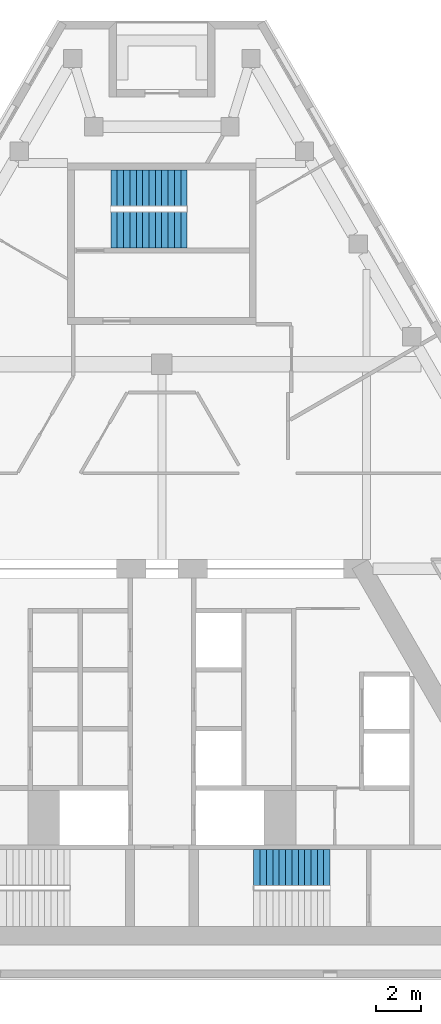
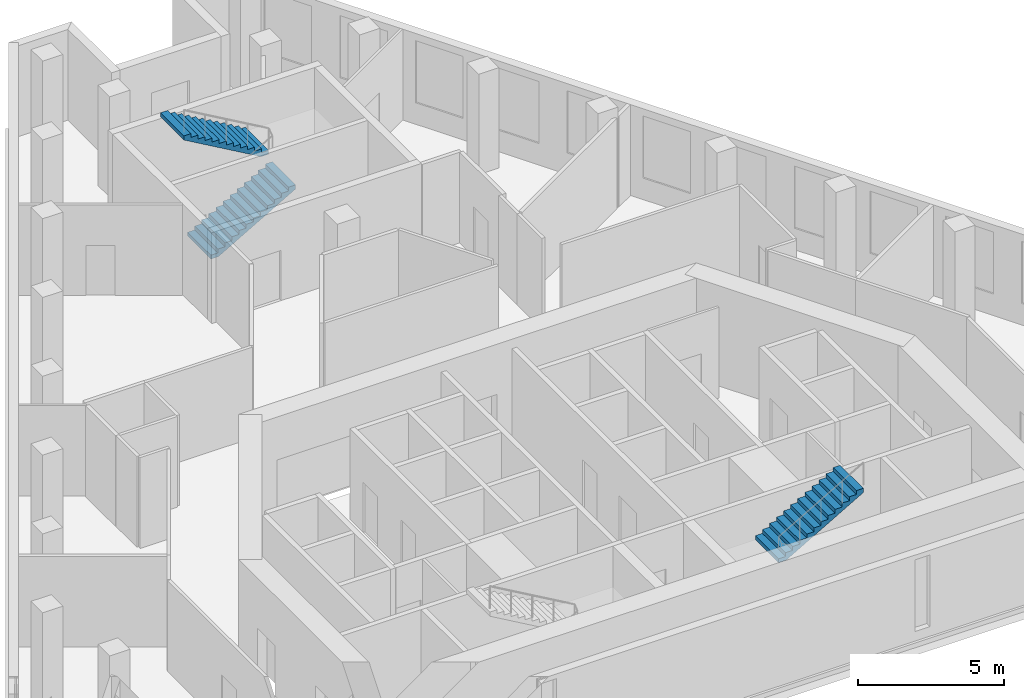
# One storey, part 7 of 8: 3 stair flights, 2 elements without a shape of their own.
"""IFC4 building model written with IfcOpenShell, lengths in metres."""

import ifcopenshell
import ifcopenshell.guid

model = None  # the IFC model being written
_history = None  # IfcOwnerHistory: only IFC2X3 demands one
_inside = {}  # id of a spatial element -> (the spatial element, [elements in it])
_under = {}  # id of a project, library or spatial element -> (it, [spatial elements below it])
_declared = {}  # id of a project -> (the project, [libraries it declares])
_typed = {}  # id of a type object -> (the type object, [elements of that type])
_made_of = {}  # id of a material, layer set ... -> (it, [elements and type objects made of it])


def new_model(schema):
    """Start an empty IFC model of exactly this schema.

    Asked for "IFC4X3", IfcOpenShell would pick the latest addendum, in which some entities
    have other attributes; the version numbers below select the first issue.
    IFC2X3 requires an IfcOwnerHistory on every rooted entity: one is made here for all.
    """
    global model, _history
    if schema == "IFC4X3":
        model = ifcopenshell.file(schema_version=(4, 3, 0, 0))
    else:
        model = ifcopenshell.file(schema=schema)
    _inside.clear()
    _under.clear()
    _declared.clear()
    _typed.clear()
    _made_of.clear()
    _history = None
    if model.schema == "IFC2X3":
        org = make("IfcOrganization", Name="unknown")
        user = make(
            "IfcPersonAndOrganization",
            ThePerson=make("IfcPerson", FamilyName="unknown"),
            TheOrganization=org,
        )
        app = make(
            "IfcApplication",
            ApplicationDeveloper=org,
            Version="unknown",
            ApplicationFullName="unknown",
            ApplicationIdentifier="unknown",
        )
        _history = make(
            "IfcOwnerHistory",
            OwningUser=user,
            OwningApplication=app,
            ChangeAction="ADDED",
            CreationDate=0,
        )
    return model


def make(cls, **values):
    """One entity of the class cls with the attributes given. An attribute that is None is left unset."""
    return model.create_entity(
        cls, **{name: value for name, value in values.items() if value is not None}
    )


def rooted(cls, **values):
    """An entity with a GlobalId (a new one), such as an element, a storey or a relation."""
    return make(cls, GlobalId=ifcopenshell.guid.new(), OwnerHistory=_history, **values)


def si_unit(unit_type, name, prefix=None):
    """IfcSIUnit, for example si_unit("LENGTHUNIT", "METRE", prefix="MILLI")."""
    return make("IfcSIUnit", UnitType=unit_type, Prefix=prefix, Name=name)


def assignment(units):
    """IfcUnitAssignment: the units of a project."""
    return None if units is None else make("IfcUnitAssignment", Units=units)


def point(xyz):
    """IfcCartesianPoint."""
    return None if xyz is None else make("IfcCartesianPoint", Coordinates=xyz)


def direction(xyz):
    """IfcDirection."""
    return None if xyz is None else make("IfcDirection", DirectionRatios=xyz)


def frame(location, z_axis=None, x_axis=None):
    """IfcAxis2Placement3D, a coordinate frame: its origin and axes. An axis left out is left unset."""
    return make(
        "IfcAxis2Placement3D",
        Location=point(location),
        Axis=direction(z_axis),
        RefDirection=direction(x_axis),
    )


def origin():
    """The frame at (0, 0, 0) with its axes left unset."""
    return frame((0.0, 0.0, 0.0))


def place(relative_to, where):
    """IfcLocalPlacement: puts the frame where relative to a parent placement (None: the world)."""
    return make(
        "IfcLocalPlacement", PlacementRelTo=relative_to, RelativePlacement=where
    )


def context(
    kind, dimensions, precision=None, world=None, true_north=None, identifier=None
):
    """IfcGeometricRepresentationContext, for example the 3D "Model" context."""
    return make(
        "IfcGeometricRepresentationContext",
        ContextIdentifier=identifier,
        ContextType=kind,
        CoordinateSpaceDimension=dimensions,
        Precision=precision,
        WorldCoordinateSystem=world,
        TrueNorth=true_north,
    )


def subcontext(parent, identifier, kind, view, scale=None):
    """IfcGeometricRepresentationSubContext, for example "Body" below "Model"."""
    return make(
        "IfcGeometricRepresentationSubContext",
        ContextIdentifier=identifier,
        ContextType=kind,
        ParentContext=parent,
        TargetScale=scale,
        TargetView=view,
    )


def project(units=None, contexts=None):
    """IfcProject with its units and contexts."""
    return rooted(
        "IfcProject",
        Name="project",
        RepresentationContexts=contexts,
        UnitsInContext=assignment(units),
    )


def spatial(cls, under=None, at=None, **own):
    """A site, building, storey or space (cls), placed at a placement, below another one or the project."""
    s = rooted(cls, ObjectPlacement=at, **own)
    if under is not None:
        _under.setdefault(under.id(), (under, []))[1].append(s)
    return s


def polyline(points):
    """IfcPolyline through the points."""
    return make("IfcPolyline", Points=[point(p) for p in points])


def outline(outer, holes=None, kind="AREA"):
    """IfcArbitraryClosedProfileDef: a profile drawn as a closed curve; with holes, ...WithVoids."""
    if holes is None:
        return make("IfcArbitraryClosedProfileDef", ProfileType=kind, OuterCurve=outer)
    return make(
        "IfcArbitraryProfileDefWithVoids",
        ProfileType=kind,
        OuterCurve=outer,
        InnerCurves=holes,
    )


def extrude(swept, where, along, depth):
    """IfcExtrudedAreaSolid: the profile swept, set in the frame where, extruded along a direction by depth."""
    return make(
        "IfcExtrudedAreaSolid",
        SweptArea=swept,
        Position=where,
        ExtrudedDirection=direction(along),
        Depth=depth,
    )


def shape(context_of_items, identifier, shape_type, items):
    """IfcShapeRepresentation: the items that make up one representation, for example the "Body"."""
    return make(
        "IfcShapeRepresentation",
        ContextOfItems=context_of_items,
        RepresentationIdentifier=identifier,
        RepresentationType=shape_type,
        Items=items,
    )


def material(Name=None, Category=None):
    """IfcMaterial."""
    return make("IfcMaterial", Name=Name, Category=Category)


def made_of(thing, what):
    """Note that an element or type object is made of a material, layer set ...; save() writes the relation."""
    if what is not None:
        _made_of.setdefault(what.id(), (what, []))[1].append(thing)
    return thing


def type_object(cls, material=None, **own):
    """A type object (cls), such as IfcWallType, which elements share."""
    return made_of(rooted(cls, **own), material)


def element(
    cls,
    number,
    at=None,
    inside=None,
    cuts=None,
    type_object=None,
    material=None,
    context=None,
    identifier="Body",
    shape_type=None,
    held_by="IfcProductDefinitionShape",
    body=None,
    shapes=None,
    **own,
):
    """One element of the class cls, such as IfcWall. Its Tag is "e" and its number.

    at: its placement. inside: the storey or other place that contains it. cuts: it is an
    opening in that element (IfcRelVoidsElement). A single representation is given by context,
    identifier, shape_type and body (its items); several are given by shapes. held_by: the class
    of the entity that holds the representations. save() writes the other relations.
    """
    e = rooted(cls, Tag="e%d" % number, ObjectPlacement=at, **own)
    if body is not None:
        shapes = [shape(context, identifier, shape_type, body)]
    if shapes is not None:
        e.Representation = make(held_by, Representations=shapes)
    if inside is not None:
        _inside.setdefault(inside.id(), (inside, []))[1].append(e)
    if cuts is not None:
        rooted(
            "IfcRelVoidsElement", RelatingBuildingElement=cuts, RelatedOpeningElement=e
        )
    if type_object is not None:
        _typed.setdefault(type_object.id(), (type_object, []))[1].append(e)
    return made_of(e, material)


def aggregate(whole, parts):
    """IfcRelAggregates: a whole, such as a stair, and the parts it consists of."""
    return rooted("IfcRelAggregates", RelatingObject=whole, RelatedObjects=parts)


def save(model, path):
    """Write the relations noted so far, then the file.

    IfcRelAggregates (storeys below a building ...), IfcRelContainedInSpatialStructure (elements
    in a storey), IfcRelDefinesByType, IfcRelAssociatesMaterial and IfcRelDeclares: one each for
    every whole, place, type object, material and project.
    """
    for whole, parts in _under.values():
        aggregate(whole, parts)
    for where, things in _inside.values():
        rooted(
            "IfcRelContainedInSpatialStructure",
            RelatedElements=things,
            RelatingStructure=where,
        )
    for kind, things in _typed.values():
        rooted("IfcRelDefinesByType", RelatedObjects=things, RelatingType=kind)
    for what, things in _made_of.values():
        rooted("IfcRelAssociatesMaterial", RelatedObjects=things, RelatingMaterial=what)
    for by, libraries in _declared.values():
        rooted("IfcRelDeclares", RelatingContext=by, RelatedDefinitions=libraries)
    model.write(path)


model = new_model("IFC4")

# Units and contexts
model_context = context("Model", 3, precision=1e-05, world=origin(), true_north=direction((0.0, 1.0)))
body_context = subcontext(model_context, "Body", "Model", "MODEL_VIEW")
ifc_project = project(units=[si_unit("LENGTHUNIT", "METRE"), si_unit("AREAUNIT", "SQUARE_METRE"), si_unit("VOLUMEUNIT", "CUBIC_METRE"), si_unit("PLANEANGLEUNIT", "RADIAN"), si_unit("MASSUNIT", "GRAM", prefix="KILO")], contexts=[model_context])

# Site, building, storey
site_placement = place(None, origin())
site = spatial("IfcSite", under=ifc_project, at=site_placement, CompositionType="ELEMENT")
building_placement = place(site_placement, origin())
building = spatial("IfcBuilding", under=site, at=building_placement, Name="Fogline Exchange Tower", CompositionType="ELEMENT")
storey_placement = place(building_placement, frame((0.0, 0.0, 322.5)))
storey = spatial("IfcBuildingStorey", under=building, at=storey_placement, Name="L73", CompositionType="ELEMENT", Elevation=322.5)

# Stair, stair flight
ifc_material = material(Name="Concrete C40", Category="concrete")
stair_type = type_object("IfcStairType", Name="STR26-1615", PredefinedType="HALF_TURN_STAIR", material=ifc_material)
stair_1_placement = place(storey_placement, origin())
stair_1 = element("IfcStair", 1, at=stair_1_placement, inside=storey, type_object=stair_type, Name="Stair ST2", PredefinedType="HALF_TURN_STAIR")
stair_flight_type = type_object("IfcStairFlightType", Name="SF13-1615", PredefinedType="STRAIGHT", material=ifc_material)
stair_flight_1_placement = place(storey_placement, frame((4.0400390625, 4.85009765625, 2.10009765625), z_axis=(0.0, 0.0, 1.0), x_axis=(1.0, 0.0, 0.0)))
stair_flight_1 = element("IfcStairFlight", 2, at=stair_flight_1_placement, type_object=stair_flight_type, Name="ST2 flight 2", NumberOfRisers=13, NumberOfTreads=12, PredefinedType="STRAIGHT", RiserHeight=0.161538462, TreadLength=0.28, context=body_context, shape_type="SweptSolid", body=[
    extrude(outline(polyline([(0.0, 0.0), (0.0, 0.16162109375), (0.280029296875, 0.16162109375), (0.280029296875, 0.322998046875), (0.56005859375, 0.322998046875), (0.56005859375, 0.484619140625), (0.840087890625, 0.484619140625), (0.840087890625, 0.646240234375), (1.1201171875, 0.646240234375), (1.1201171875, 0.8076171875), (1.39990234375, 0.8076171875), (1.39990234375, 0.96923828125), (1.679931640625, 0.96923828125), (1.679931640625, 1.130859375), (1.9599609375, 1.130859375), (1.9599609375, 1.292236328125), (2.239990234375, 1.292236328125), (2.239990234375, 1.453857421875), (2.52001953125, 1.453857421875), (2.52001953125, 1.615478515625), (2.800048828125, 1.615478515625), (2.800048828125, 1.77685546875), (3.080078125, 1.77685546875), (3.080078125, 1.9384765625), (3.360107421875, 1.9384765625), (3.360107421875, 2.10009765625), (3.360107421875, 1.765380859375), (0.300048828125, 0.0), (0.0, 0.0)])), frame((0.0, 0.800048828125, 0.0), z_axis=(0.0, -1.0, 0.0), x_axis=(1.0, 0.0, 0.0)), (0.0, 0.0, 1.0), 1.60009765625),
])
aggregate(stair_1, [stair_flight_1])

# Stair, stair flights
stair_2_placement = place(storey_placement, origin())
stair_2 = element("IfcStair", 3, at=stair_2_placement, inside=storey, type_object=stair_type, Name="Stair ST3", PredefinedType="HALF_TURN_STAIR")
stair_flight_2_placement = place(storey_placement, frame((-2.25, 32.906982421875, 0.0), z_axis=(0.0, 0.0, 1.0), x_axis=(1.0, 0.0, 0.0)))
stair_flight_2 = element("IfcStairFlight", 4, at=stair_flight_2_placement, type_object=stair_flight_type, Name="ST3 flight 1", NumberOfRisers=13, NumberOfTreads=12, PredefinedType="STRAIGHT", RiserHeight=0.161538462, TreadLength=0.28, context=body_context, shape_type="SweptSolid", body=[
    extrude(outline(polyline([(0.0, 0.0), (0.0, 0.16162109375), (0.280029296875, 0.16162109375), (0.280029296875, 0.322998046875), (0.56005859375, 0.322998046875), (0.56005859375, 0.484619140625), (0.840087890625, 0.484619140625), (0.840087890625, 0.646240234375), (1.1201171875, 0.646240234375), (1.1201171875, 0.8076171875), (1.39990234375, 0.8076171875), (1.39990234375, 0.96923828125), (1.679931640625, 0.96923828125), (1.679931640625, 1.130859375), (1.9599609375, 1.130859375), (1.9599609375, 1.292236328125), (2.239990234375, 1.292236328125), (2.239990234375, 1.453857421875), (2.52001953125, 1.453857421875), (2.52001953125, 1.615478515625), (2.800048828125, 1.615478515625), (2.800048828125, 1.77685546875), (3.080078125, 1.77685546875), (3.080078125, 1.9384765625), (3.360107421875, 1.9384765625), (3.360107421875, 2.10009765625), (3.360107421875, 1.765380859375), (0.300048828125, 0.0), (0.0, 0.0)])), frame((0.0, 0.800048828125, 0.0), z_axis=(0.0, -1.0, 0.0), x_axis=(1.0, 0.0, 0.0)), (0.0, 0.0, 1.0), 1.60009765625),
])
stair_flight_3_placement = place(storey_placement, frame((1.110107421875, 34.757080078125, 2.10009765625), z_axis=(0.0, 0.0, 1.0), x_axis=(-1.0, 0.0, 0.0)))
stair_flight_3 = element("IfcStairFlight", 5, at=stair_flight_3_placement, type_object=stair_flight_type, Name="ST3 flight 2", NumberOfRisers=13, NumberOfTreads=12, PredefinedType="STRAIGHT", RiserHeight=0.161538462, TreadLength=0.28, context=body_context, shape_type="SweptSolid", body=[
    extrude(outline(polyline([(0.0, 0.0), (0.0, 0.16162109375), (0.280029296875, 0.16162109375), (0.280029296875, 0.322998046875), (0.56005859375, 0.322998046875), (0.56005859375, 0.484619140625), (0.840087890625, 0.484619140625), (0.840087890625, 0.646240234375), (1.1201171875, 0.646240234375), (1.1201171875, 0.8076171875), (1.39990234375, 0.8076171875), (1.39990234375, 0.96923828125), (1.679931640625, 0.96923828125), (1.679931640625, 1.130859375), (1.9599609375, 1.130859375), (1.9599609375, 1.292236328125), (2.239990234375, 1.292236328125), (2.239990234375, 1.453857421875), (2.52001953125, 1.453857421875), (2.52001953125, 1.615478515625), (2.800048828125, 1.615478515625), (2.800048828125, 1.77685546875), (3.080078125, 1.77685546875), (3.080078125, 1.9384765625), (3.360107421875, 1.9384765625), (3.360107421875, 2.10009765625), (3.360107421875, 1.765380859375), (0.300048828125, 0.0), (0.0, 0.0)])), frame((0.0, 0.800048828125, 0.0), z_axis=(0.0, -1.0, 0.0), x_axis=(1.0, 0.0, 0.0)), (0.0, 0.0, 1.0), 1.60009765625),
])
aggregate(stair_2, [stair_flight_2, stair_flight_3])

save(model, "model.ifc")
